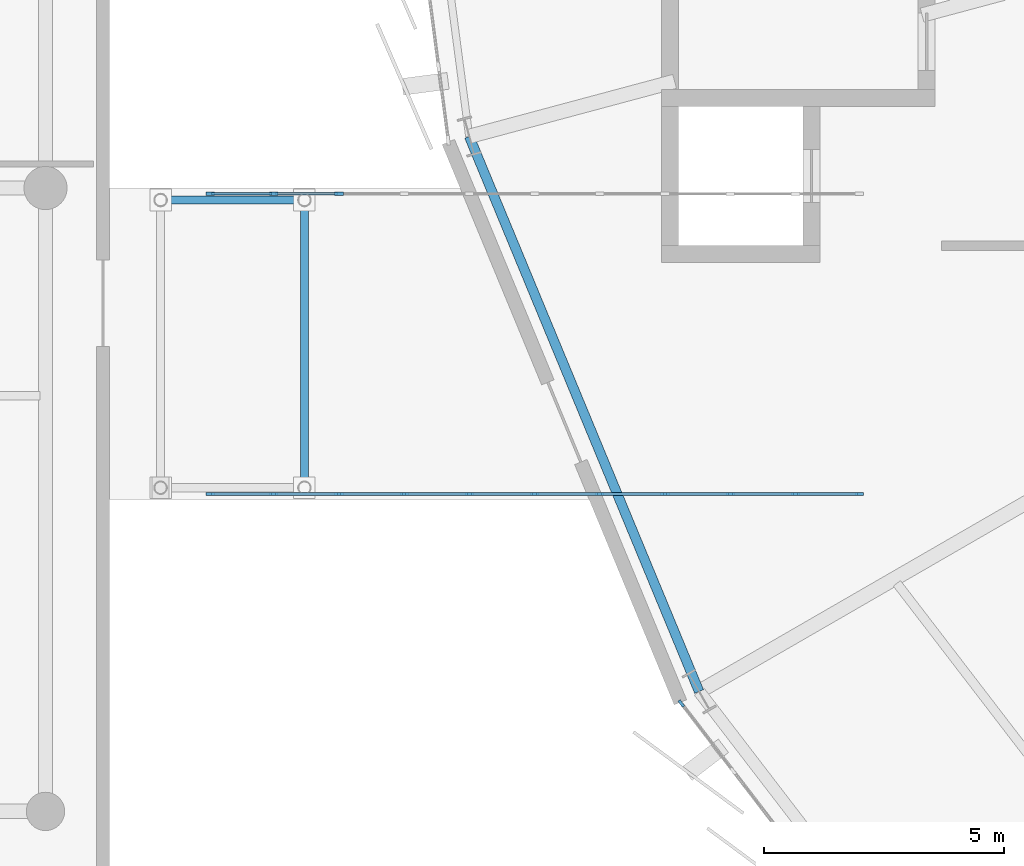
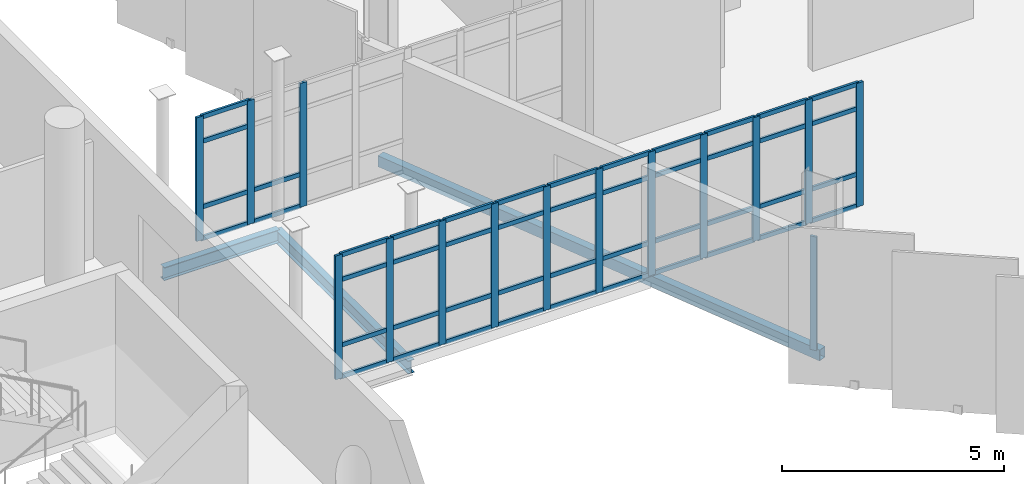
# One storey, part 31 of 125: 61 members, 3 beams, 3 elements without a shape of their own.
"""IFC4 building model written with IfcOpenShell, lengths in metres."""

from ifc_helpers import new_model, si_unit, direction, frame, origin, origin_2d, place, context, subcontext, project, spatial, rectangle, hollow_rectangle, i_section, extrude, material, layer, layer_set, material_profile, profile_set, type_object, element, aggregate, save


model = new_model("IFC4")

# Units and contexts
model_context = context("Model", 3, precision=1e-05, world=origin(), true_north=direction((0.0, 1.0)))
body_context = subcontext(model_context, "Body", "Model", "MODEL_VIEW")
ifc_project = project(units=[si_unit("LENGTHUNIT", "METRE"), si_unit("AREAUNIT", "SQUARE_METRE"), si_unit("VOLUMEUNIT", "CUBIC_METRE"), si_unit("PLANEANGLEUNIT", "RADIAN"), si_unit("MASSUNIT", "GRAM", prefix="KILO")], contexts=[model_context])

# Site, building, storey
site_placement = place(None, origin())
site = spatial("IfcSite", under=ifc_project, at=site_placement, CompositionType="ELEMENT")
building_placement = place(site_placement, origin())
building = spatial("IfcBuilding", under=site, at=building_placement, Name="Sohan Crest Arena", CompositionType="ELEMENT")
storey_placement = place(building_placement, frame((0.0, 0.0, 9.0)))
storey = spatial("IfcBuildingStorey", under=building, at=storey_placement, Name="L02", CompositionType="ELEMENT", Elevation=9.0)

# Curtain wall, member
ifc_material_1 = material(Name="Thermally broken anodised aluminium", Category="aluminium")
ifc_layer_1 = layer(ifc_material_1, 0.219970703125, Name="Thermally broken anodised aluminium")
ifc_layer_set_1 = layer_set([ifc_layer_1], Name="Thermally broken anodised aluminium")
curtain_wall_type_1 = type_object("IfcCurtainWallType", Name="ARC-CW03", PredefinedType="NOTDEFINED", material=ifc_layer_set_1)
curtain_wall_1_placement = place(storey_placement, origin())
curtain_wall_1 = element("IfcCurtainWall", 1, at=curtain_wall_1_placement, inside=storey, type_object=curtain_wall_type_1, Name="Unitised curtain wall CW-056", PredefinedType="NOTDEFINED")
ifc_material_profile_1 = material_profile(ifc_material_1, rectangle(XDim=0.06005859375, YDim=0.159912109375, at=origin_2d()), Name="ALU-MULL 60x160")
ifc_profile_set_1 = profile_set([ifc_material_profile_1], Name="Thermally broken anodised aluminium")
member_type_1 = type_object("IfcMemberType", Name="ARC-CW-ML01", PredefinedType="MULLION", material=ifc_profile_set_1)
member_1_placement = place(storey_placement, frame((56.059326171875, 53.751220703125, 0.0), z_axis=(0.0, 0.0, 1.0), x_axis=(0.79332886296, 0.60879332716, 0.0)))
member_1 = element("IfcMember", 2, at=member_1_placement, type_object=member_type_1, Name="CW-056 mullion 1", PredefinedType="MULLION", context=body_context, shape_type="SweptSolid", body=[
    extrude(rectangle(XDim=0.06005859375, YDim=0.159912109375, at=origin_2d()), origin(), (0.0, 0.0, 1.0), 3.1201171875),
])
aggregate(curtain_wall_1, [member_1])

# Curtain wall, members
ifc_layer_2 = layer(ifc_material_1, 0.18994140625, Name="Thermally broken anodised aluminium")
ifc_layer_set_2 = layer_set([ifc_layer_2], Name="Thermally broken anodised aluminium")
curtain_wall_type_2 = type_object("IfcCurtainWallType", Name="ARC-CW05", PredefinedType="NOTDEFINED", material=ifc_layer_set_2)
curtain_wall_2_placement = place(storey_placement, origin())
curtain_wall_2 = element("IfcCurtainWall", 3, at=curtain_wall_2_placement, inside=storey, type_object=curtain_wall_type_2, Name="Unitised curtain wall CW-227", PredefinedType="NOTDEFINED")
ifc_material_profile_2 = material_profile(ifc_material_1, rectangle(XDim=0.06494140625, YDim=0.179931640625, at=origin_2d()), Name="ALU-MULL 65x180")
ifc_profile_set_2 = profile_set([ifc_material_profile_2], Name="Thermally broken anodised aluminium")
member_type_2 = type_object("IfcMemberType", Name="ARC-CW-ML02", PredefinedType="MULLION", material=ifc_profile_set_2)
member_2_placement = place(storey_placement, frame((46.232421875, 58.1201171875, 0.0), z_axis=(0.0, 0.0, 1.0), x_axis=(0.0, 1.0, 0.0)))
member_2 = element("IfcMember", 4, at=member_2_placement, type_object=member_type_2, Name="CW-227 mullion 1", PredefinedType="MULLION", context=body_context, shape_type="SweptSolid", body=[
    extrude(rectangle(XDim=0.06494140625, YDim=0.179931640625, at=origin_2d()), origin(), (0.0, 0.0, 1.0), 3.39990234375),
])
member_3_placement = place(storey_placement, frame((47.56005859375, 58.1201171875, 0.0), z_axis=(0.0, 0.0, 1.0), x_axis=(0.0, 1.0, 0.0)))
member_3 = element("IfcMember", 5, at=member_3_placement, type_object=member_type_2, Name="CW-227 mullion 2", PredefinedType="MULLION", context=body_context, shape_type="SweptSolid", body=[
    extrude(rectangle(XDim=0.06494140625, YDim=0.179931640625, at=origin_2d()), origin(), (0.0, 0.0, 1.0), 3.39990234375),
])
member_4_placement = place(storey_placement, frame((48.919921875, 58.1201171875, 0.0), z_axis=(0.0, 0.0, 1.0), x_axis=(0.0, 1.0, 0.0)))
member_4 = element("IfcMember", 6, at=member_4_placement, type_object=member_type_2, Name="CW-227 mullion 3", PredefinedType="MULLION", context=body_context, shape_type="SweptSolid", body=[
    extrude(rectangle(XDim=0.06494140625, YDim=0.179931640625, at=origin_2d()), origin(), (0.0, 0.0, 1.0), 3.39990234375),
])
member_5_placement = place(storey_placement, frame((50.280029296875, 58.1201171875, 0.0), z_axis=(0.0, 0.0, 1.0), x_axis=(0.0, 1.0, 0.0)))
member_5 = element("IfcMember", 7, at=member_5_placement, type_object=member_type_2, Name="CW-227 mullion 4", PredefinedType="MULLION", context=body_context, shape_type="SweptSolid", body=[
    extrude(rectangle(XDim=0.06494140625, YDim=0.179931640625, at=origin_2d()), origin(), (0.0, 0.0, 1.0), 3.39990234375),
])
member_6_placement = place(storey_placement, frame((51.639892578125, 58.1201171875, 0.0), z_axis=(0.0, 0.0, 1.0), x_axis=(0.0, 1.0, 0.0)))
member_6 = element("IfcMember", 8, at=member_6_placement, type_object=member_type_2, Name="CW-227 mullion 5", PredefinedType="MULLION", context=body_context, shape_type="SweptSolid", body=[
    extrude(rectangle(XDim=0.06494140625, YDim=0.179931640625, at=origin_2d()), origin(), (0.0, 0.0, 1.0), 3.39990234375),
])
member_7_placement = place(storey_placement, frame((53.0, 58.1201171875, 0.0), z_axis=(0.0, 0.0, 1.0), x_axis=(0.0, 1.0, 0.0)))
member_7 = element("IfcMember", 9, at=member_7_placement, type_object=member_type_2, Name="CW-227 mullion 6", PredefinedType="MULLION", context=body_context, shape_type="SweptSolid", body=[
    extrude(rectangle(XDim=0.06494140625, YDim=0.179931640625, at=origin_2d()), origin(), (0.0, 0.0, 1.0), 3.39990234375),
])
member_8_placement = place(storey_placement, frame((54.360107421875, 58.1201171875, 0.0), z_axis=(0.0, 0.0, 1.0), x_axis=(0.0, 1.0, 0.0)))
member_8 = element("IfcMember", 10, at=member_8_placement, type_object=member_type_2, Name="CW-227 mullion 7", PredefinedType="MULLION", context=body_context, shape_type="SweptSolid", body=[
    extrude(rectangle(XDim=0.06494140625, YDim=0.179931640625, at=origin_2d()), origin(), (0.0, 0.0, 1.0), 3.39990234375),
])
member_9_placement = place(storey_placement, frame((55.719970703125, 58.1201171875, 0.0), z_axis=(0.0, 0.0, 1.0), x_axis=(0.0, 1.0, 0.0)))
member_9 = element("IfcMember", 11, at=member_9_placement, type_object=member_type_2, Name="CW-227 mullion 8", PredefinedType="MULLION", context=body_context, shape_type="SweptSolid", body=[
    extrude(rectangle(XDim=0.06494140625, YDim=0.179931640625, at=origin_2d()), origin(), (0.0, 0.0, 1.0), 3.39990234375),
])
member_10_placement = place(storey_placement, frame((57.080078125, 58.1201171875, 0.0), z_axis=(0.0, 0.0, 1.0), x_axis=(0.0, 1.0, 0.0)))
member_10 = element("IfcMember", 12, at=member_10_placement, type_object=member_type_2, Name="CW-227 mullion 9", PredefinedType="MULLION", context=body_context, shape_type="SweptSolid", body=[
    extrude(rectangle(XDim=0.06494140625, YDim=0.179931640625, at=origin_2d()), origin(), (0.0, 0.0, 1.0), 3.39990234375),
])
member_11_placement = place(storey_placement, frame((58.43994140625, 58.1201171875, 0.0), z_axis=(0.0, 0.0, 1.0), x_axis=(0.0, 1.0, 0.0)))
member_11 = element("IfcMember", 13, at=member_11_placement, type_object=member_type_2, Name="CW-227 mullion 10", PredefinedType="MULLION", context=body_context, shape_type="SweptSolid", body=[
    extrude(rectangle(XDim=0.06494140625, YDim=0.179931640625, at=origin_2d()), origin(), (0.0, 0.0, 1.0), 3.39990234375),
])
member_12_placement = place(storey_placement, frame((59.767578125, 58.1201171875, 0.0), z_axis=(0.0, 0.0, 1.0), x_axis=(0.0, 1.0, 0.0)))
member_12 = element("IfcMember", 14, at=member_12_placement, type_object=member_type_2, Name="CW-227 mullion 11", PredefinedType="MULLION", context=body_context, shape_type="SweptSolid", body=[
    extrude(rectangle(XDim=0.06494140625, YDim=0.179931640625, at=origin_2d()), origin(), (0.0, 0.0, 1.0), 3.39990234375),
])

curtain_wall_3_placement = place(storey_placement, origin())
curtain_wall_3 = element("IfcCurtainWall", 15, at=curtain_wall_3_placement, inside=storey, type_object=curtain_wall_type_2, Name="Unitised curtain wall CW-228", PredefinedType="NOTDEFINED")
member_13_placement = place(storey_placement, frame((46.232421875, 64.3798828125, 0.0), z_axis=(0.0, 0.0, 1.0), x_axis=(0.0, 1.0, 0.0)))
member_13 = element("IfcMember", 16, at=member_13_placement, type_object=member_type_2, Name="CW-228 mullion 1", PredefinedType="MULLION", context=body_context, shape_type="SweptSolid", body=[
    extrude(rectangle(XDim=0.06494140625, YDim=0.179931640625, at=origin_2d()), origin(), (0.0, 0.0, 1.0), 3.39990234375),
])
member_14_placement = place(storey_placement, frame((47.56005859375, 64.3798828125, 0.0), z_axis=(0.0, 0.0, 1.0), x_axis=(0.0, 1.0, 0.0)))
member_14 = element("IfcMember", 17, at=member_14_placement, type_object=member_type_2, Name="CW-228 mullion 2", PredefinedType="MULLION", context=body_context, shape_type="SweptSolid", body=[
    extrude(rectangle(XDim=0.06494140625, YDim=0.179931640625, at=origin_2d()), origin(), (0.0, 0.0, 1.0), 3.39990234375),
])
member_15_placement = place(storey_placement, frame((48.919921875, 64.3798828125, 0.0), z_axis=(0.0, 0.0, 1.0), x_axis=(0.0, 1.0, 0.0)))
member_15 = element("IfcMember", 18, at=member_15_placement, type_object=member_type_2, Name="CW-228 mullion 3", PredefinedType="MULLION", context=body_context, shape_type="SweptSolid", body=[
    extrude(rectangle(XDim=0.06494140625, YDim=0.179931640625, at=origin_2d()), origin(), (0.0, 0.0, 1.0), 3.39990234375),
])

# Member
ifc_material_profile_3 = material_profile(ifc_material_1, rectangle(XDim=0.06005859375, YDim=0.1201171875, at=origin_2d()), Name="ALU-TRAN 60x120")
ifc_profile_set_3 = profile_set([ifc_material_profile_3], Name="Thermally broken anodised aluminium")
member_type_3 = type_object("IfcMemberType", Name="ARC-CW-TR01", PredefinedType="USERDEFINED", material=ifc_profile_set_3)
member_16_placement = place(storey_placement, frame((46.264892578125, 58.1201171875, 0.030029296875), z_axis=(1.0, 0.0, 0.0), x_axis=(0.0, 1.0, 0.0)))
member_16 = element("IfcMember", 19, at=member_16_placement, type_object=member_type_3, Name="CW-227 transom 1.1", ObjectType="TRANSOM", PredefinedType="USERDEFINED", context=body_context, shape_type="SweptSolid", body=[
    extrude(rectangle(XDim=0.06005859375, YDim=0.1201171875, at=origin_2d()), origin(), (0.0, 0.0, 1.0), 1.2626953125),
])

member_17_placement = place(storey_placement, frame((46.264892578125, 58.1201171875, 0.89990234375), z_axis=(1.0, 0.0, 0.0), x_axis=(0.0, 1.0, 0.0)))
member_17 = element("IfcMember", 20, at=member_17_placement, type_object=member_type_3, Name="CW-227 transom 1.2", ObjectType="TRANSOM", PredefinedType="USERDEFINED", context=body_context, shape_type="SweptSolid", body=[
    extrude(rectangle(XDim=0.06005859375, YDim=0.1201171875, at=origin_2d()), origin(), (0.0, 0.0, 1.0), 1.2626953125),
])

member_18_placement = place(storey_placement, frame((46.264892578125, 58.1201171875, 2.699951171875), z_axis=(1.0, 0.0, 0.0), x_axis=(0.0, 1.0, 0.0)))
member_18 = element("IfcMember", 21, at=member_18_placement, type_object=member_type_3, Name="CW-227 transom 1.3", ObjectType="TRANSOM", PredefinedType="USERDEFINED", context=body_context, shape_type="SweptSolid", body=[
    extrude(rectangle(XDim=0.06005859375, YDim=0.1201171875, at=origin_2d()), origin(), (0.0, 0.0, 1.0), 1.2626953125),
])

member_19_placement = place(storey_placement, frame((46.264892578125, 58.1201171875, 3.3701171875), z_axis=(1.0, 0.0, 0.0), x_axis=(0.0, 1.0, 0.0)))
member_19 = element("IfcMember", 22, at=member_19_placement, type_object=member_type_3, Name="CW-227 transom 1.4", ObjectType="TRANSOM", PredefinedType="USERDEFINED", context=body_context, shape_type="SweptSolid", body=[
    extrude(rectangle(XDim=0.06005859375, YDim=0.1201171875, at=origin_2d()), origin(), (0.0, 0.0, 1.0), 1.2626953125),
])

member_20_placement = place(storey_placement, frame((47.592529296875, 58.1201171875, 0.030029296875), z_axis=(1.0, 0.0, 0.0), x_axis=(0.0, 1.0, 0.0)))
member_20 = element("IfcMember", 23, at=member_20_placement, type_object=member_type_3, Name="CW-227 transom 2.1", ObjectType="TRANSOM", PredefinedType="USERDEFINED", context=body_context, shape_type="SweptSolid", body=[
    extrude(rectangle(XDim=0.06005859375, YDim=0.1201171875, at=origin_2d()), origin(), (0.0, 0.0, 1.0), 1.294921875),
])

member_21_placement = place(storey_placement, frame((47.592529296875, 58.1201171875, 0.89990234375), z_axis=(1.0, 0.0, 0.0), x_axis=(0.0, 1.0, 0.0)))
member_21 = element("IfcMember", 24, at=member_21_placement, type_object=member_type_3, Name="CW-227 transom 2.2", ObjectType="TRANSOM", PredefinedType="USERDEFINED", context=body_context, shape_type="SweptSolid", body=[
    extrude(rectangle(XDim=0.06005859375, YDim=0.1201171875, at=origin_2d()), origin(), (0.0, 0.0, 1.0), 1.294921875),
])

member_22_placement = place(storey_placement, frame((47.592529296875, 58.1201171875, 2.699951171875), z_axis=(1.0, 0.0, 0.0), x_axis=(0.0, 1.0, 0.0)))
member_22 = element("IfcMember", 25, at=member_22_placement, type_object=member_type_3, Name="CW-227 transom 2.3", ObjectType="TRANSOM", PredefinedType="USERDEFINED", context=body_context, shape_type="SweptSolid", body=[
    extrude(rectangle(XDim=0.06005859375, YDim=0.1201171875, at=origin_2d()), origin(), (0.0, 0.0, 1.0), 1.294921875),
])

member_23_placement = place(storey_placement, frame((47.592529296875, 58.1201171875, 3.3701171875), z_axis=(1.0, 0.0, 0.0), x_axis=(0.0, 1.0, 0.0)))
member_23 = element("IfcMember", 26, at=member_23_placement, type_object=member_type_3, Name="CW-227 transom 2.4", ObjectType="TRANSOM", PredefinedType="USERDEFINED", context=body_context, shape_type="SweptSolid", body=[
    extrude(rectangle(XDim=0.06005859375, YDim=0.1201171875, at=origin_2d()), origin(), (0.0, 0.0, 1.0), 1.294921875),
])

member_24_placement = place(storey_placement, frame((48.952392578125, 58.1201171875, 0.030029296875), z_axis=(1.0, 0.0, 0.0), x_axis=(0.0, 1.0, 0.0)))
member_24 = element("IfcMember", 27, at=member_24_placement, type_object=member_type_3, Name="CW-227 transom 3.1", ObjectType="TRANSOM", PredefinedType="USERDEFINED", context=body_context, shape_type="SweptSolid", body=[
    extrude(rectangle(XDim=0.06005859375, YDim=0.1201171875, at=origin_2d()), origin(), (0.0, 0.0, 1.0), 1.295166015625),
])

member_25_placement = place(storey_placement, frame((48.952392578125, 58.1201171875, 0.89990234375), z_axis=(1.0, 0.0, 0.0), x_axis=(0.0, 1.0, 0.0)))
member_25 = element("IfcMember", 28, at=member_25_placement, type_object=member_type_3, Name="CW-227 transom 3.2", ObjectType="TRANSOM", PredefinedType="USERDEFINED", context=body_context, shape_type="SweptSolid", body=[
    extrude(rectangle(XDim=0.06005859375, YDim=0.1201171875, at=origin_2d()), origin(), (0.0, 0.0, 1.0), 1.295166015625),
])

member_26_placement = place(storey_placement, frame((48.952392578125, 58.1201171875, 2.699951171875), z_axis=(1.0, 0.0, 0.0), x_axis=(0.0, 1.0, 0.0)))
member_26 = element("IfcMember", 29, at=member_26_placement, type_object=member_type_3, Name="CW-227 transom 3.3", ObjectType="TRANSOM", PredefinedType="USERDEFINED", context=body_context, shape_type="SweptSolid", body=[
    extrude(rectangle(XDim=0.06005859375, YDim=0.1201171875, at=origin_2d()), origin(), (0.0, 0.0, 1.0), 1.295166015625),
])

member_27_placement = place(storey_placement, frame((48.952392578125, 58.1201171875, 3.3701171875), z_axis=(1.0, 0.0, 0.0), x_axis=(0.0, 1.0, 0.0)))
member_27 = element("IfcMember", 30, at=member_27_placement, type_object=member_type_3, Name="CW-227 transom 3.4", ObjectType="TRANSOM", PredefinedType="USERDEFINED", context=body_context, shape_type="SweptSolid", body=[
    extrude(rectangle(XDim=0.06005859375, YDim=0.1201171875, at=origin_2d()), origin(), (0.0, 0.0, 1.0), 1.295166015625),
])

member_28_placement = place(storey_placement, frame((50.3125, 58.1201171875, 0.030029296875), z_axis=(1.0, 0.0, 0.0), x_axis=(0.0, 1.0, 0.0)))
member_28 = element("IfcMember", 31, at=member_28_placement, type_object=member_type_3, Name="CW-227 transom 4.1", ObjectType="TRANSOM", PredefinedType="USERDEFINED", context=body_context, shape_type="SweptSolid", body=[
    extrude(rectangle(XDim=0.06005859375, YDim=0.1201171875, at=origin_2d()), origin(), (0.0, 0.0, 1.0), 1.294921875),
])

member_29_placement = place(storey_placement, frame((50.3125, 58.1201171875, 0.89990234375), z_axis=(1.0, 0.0, 0.0), x_axis=(0.0, 1.0, 0.0)))
member_29 = element("IfcMember", 32, at=member_29_placement, type_object=member_type_3, Name="CW-227 transom 4.2", ObjectType="TRANSOM", PredefinedType="USERDEFINED", context=body_context, shape_type="SweptSolid", body=[
    extrude(rectangle(XDim=0.06005859375, YDim=0.1201171875, at=origin_2d()), origin(), (0.0, 0.0, 1.0), 1.294921875),
])

member_30_placement = place(storey_placement, frame((50.3125, 58.1201171875, 2.699951171875), z_axis=(1.0, 0.0, 0.0), x_axis=(0.0, 1.0, 0.0)))
member_30 = element("IfcMember", 33, at=member_30_placement, type_object=member_type_3, Name="CW-227 transom 4.3", ObjectType="TRANSOM", PredefinedType="USERDEFINED", context=body_context, shape_type="SweptSolid", body=[
    extrude(rectangle(XDim=0.06005859375, YDim=0.1201171875, at=origin_2d()), origin(), (0.0, 0.0, 1.0), 1.294921875),
])

member_31_placement = place(storey_placement, frame((50.3125, 58.1201171875, 3.3701171875), z_axis=(1.0, 0.0, 0.0), x_axis=(0.0, 1.0, 0.0)))
member_31 = element("IfcMember", 34, at=member_31_placement, type_object=member_type_3, Name="CW-227 transom 4.4", ObjectType="TRANSOM", PredefinedType="USERDEFINED", context=body_context, shape_type="SweptSolid", body=[
    extrude(rectangle(XDim=0.06005859375, YDim=0.1201171875, at=origin_2d()), origin(), (0.0, 0.0, 1.0), 1.294921875),
])

member_32_placement = place(storey_placement, frame((51.672607421875, 58.1201171875, 0.030029296875), z_axis=(1.0, 0.0, 0.0), x_axis=(0.0, 1.0, 0.0)))
member_32 = element("IfcMember", 35, at=member_32_placement, type_object=member_type_3, Name="CW-227 transom 5.1", ObjectType="TRANSOM", PredefinedType="USERDEFINED", context=body_context, shape_type="SweptSolid", body=[
    extrude(rectangle(XDim=0.06005859375, YDim=0.1201171875, at=origin_2d()), origin(), (0.0, 0.0, 1.0), 1.294921875),
])

member_33_placement = place(storey_placement, frame((51.672607421875, 58.1201171875, 0.89990234375), z_axis=(1.0, 0.0, 0.0), x_axis=(0.0, 1.0, 0.0)))
member_33 = element("IfcMember", 36, at=member_33_placement, type_object=member_type_3, Name="CW-227 transom 5.2", ObjectType="TRANSOM", PredefinedType="USERDEFINED", context=body_context, shape_type="SweptSolid", body=[
    extrude(rectangle(XDim=0.06005859375, YDim=0.1201171875, at=origin_2d()), origin(), (0.0, 0.0, 1.0), 1.294921875),
])

member_34_placement = place(storey_placement, frame((51.672607421875, 58.1201171875, 2.699951171875), z_axis=(1.0, 0.0, 0.0), x_axis=(0.0, 1.0, 0.0)))
member_34 = element("IfcMember", 37, at=member_34_placement, type_object=member_type_3, Name="CW-227 transom 5.3", ObjectType="TRANSOM", PredefinedType="USERDEFINED", context=body_context, shape_type="SweptSolid", body=[
    extrude(rectangle(XDim=0.06005859375, YDim=0.1201171875, at=origin_2d()), origin(), (0.0, 0.0, 1.0), 1.294921875),
])

member_35_placement = place(storey_placement, frame((51.672607421875, 58.1201171875, 3.3701171875), z_axis=(1.0, 0.0, 0.0), x_axis=(0.0, 1.0, 0.0)))
member_35 = element("IfcMember", 38, at=member_35_placement, type_object=member_type_3, Name="CW-227 transom 5.4", ObjectType="TRANSOM", PredefinedType="USERDEFINED", context=body_context, shape_type="SweptSolid", body=[
    extrude(rectangle(XDim=0.06005859375, YDim=0.1201171875, at=origin_2d()), origin(), (0.0, 0.0, 1.0), 1.294921875),
])

member_36_placement = place(storey_placement, frame((53.032470703125, 58.1201171875, 0.030029296875), z_axis=(1.0, 0.0, 0.0), x_axis=(0.0, 1.0, 0.0)))
member_36 = element("IfcMember", 39, at=member_36_placement, type_object=member_type_3, Name="CW-227 transom 6.1", ObjectType="TRANSOM", PredefinedType="USERDEFINED", context=body_context, shape_type="SweptSolid", body=[
    extrude(rectangle(XDim=0.06005859375, YDim=0.1201171875, at=origin_2d()), origin(), (0.0, 0.0, 1.0), 1.294921875),
])

member_37_placement = place(storey_placement, frame((53.032470703125, 58.1201171875, 0.89990234375), z_axis=(1.0, 0.0, 0.0), x_axis=(0.0, 1.0, 0.0)))
member_37 = element("IfcMember", 40, at=member_37_placement, type_object=member_type_3, Name="CW-227 transom 6.2", ObjectType="TRANSOM", PredefinedType="USERDEFINED", context=body_context, shape_type="SweptSolid", body=[
    extrude(rectangle(XDim=0.06005859375, YDim=0.1201171875, at=origin_2d()), origin(), (0.0, 0.0, 1.0), 1.294921875),
])

member_38_placement = place(storey_placement, frame((53.032470703125, 58.1201171875, 2.699951171875), z_axis=(1.0, 0.0, 0.0), x_axis=(0.0, 1.0, 0.0)))
member_38 = element("IfcMember", 41, at=member_38_placement, type_object=member_type_3, Name="CW-227 transom 6.3", ObjectType="TRANSOM", PredefinedType="USERDEFINED", context=body_context, shape_type="SweptSolid", body=[
    extrude(rectangle(XDim=0.06005859375, YDim=0.1201171875, at=origin_2d()), origin(), (0.0, 0.0, 1.0), 1.294921875),
])

member_39_placement = place(storey_placement, frame((53.032470703125, 58.1201171875, 3.3701171875), z_axis=(1.0, 0.0, 0.0), x_axis=(0.0, 1.0, 0.0)))
member_39 = element("IfcMember", 42, at=member_39_placement, type_object=member_type_3, Name="CW-227 transom 6.4", ObjectType="TRANSOM", PredefinedType="USERDEFINED", context=body_context, shape_type="SweptSolid", body=[
    extrude(rectangle(XDim=0.06005859375, YDim=0.1201171875, at=origin_2d()), origin(), (0.0, 0.0, 1.0), 1.294921875),
])

member_40_placement = place(storey_placement, frame((54.392578125, 58.1201171875, 0.030029296875), z_axis=(1.0, 0.0, 0.0), x_axis=(0.0, 1.0, 0.0)))
member_40 = element("IfcMember", 43, at=member_40_placement, type_object=member_type_3, Name="CW-227 transom 7.1", ObjectType="TRANSOM", PredefinedType="USERDEFINED", context=body_context, shape_type="SweptSolid", body=[
    extrude(rectangle(XDim=0.06005859375, YDim=0.1201171875, at=origin_2d()), origin(), (0.0, 0.0, 1.0), 1.294921875),
])

member_41_placement = place(storey_placement, frame((54.392578125, 58.1201171875, 0.89990234375), z_axis=(1.0, 0.0, 0.0), x_axis=(0.0, 1.0, 0.0)))
member_41 = element("IfcMember", 44, at=member_41_placement, type_object=member_type_3, Name="CW-227 transom 7.2", ObjectType="TRANSOM", PredefinedType="USERDEFINED", context=body_context, shape_type="SweptSolid", body=[
    extrude(rectangle(XDim=0.06005859375, YDim=0.1201171875, at=origin_2d()), origin(), (0.0, 0.0, 1.0), 1.294921875),
])

member_42_placement = place(storey_placement, frame((54.392578125, 58.1201171875, 2.699951171875), z_axis=(1.0, 0.0, 0.0), x_axis=(0.0, 1.0, 0.0)))
member_42 = element("IfcMember", 45, at=member_42_placement, type_object=member_type_3, Name="CW-227 transom 7.3", ObjectType="TRANSOM", PredefinedType="USERDEFINED", context=body_context, shape_type="SweptSolid", body=[
    extrude(rectangle(XDim=0.06005859375, YDim=0.1201171875, at=origin_2d()), origin(), (0.0, 0.0, 1.0), 1.294921875),
])

member_43_placement = place(storey_placement, frame((54.392578125, 58.1201171875, 3.3701171875), z_axis=(1.0, 0.0, 0.0), x_axis=(0.0, 1.0, 0.0)))
member_43 = element("IfcMember", 46, at=member_43_placement, type_object=member_type_3, Name="CW-227 transom 7.4", ObjectType="TRANSOM", PredefinedType="USERDEFINED", context=body_context, shape_type="SweptSolid", body=[
    extrude(rectangle(XDim=0.06005859375, YDim=0.1201171875, at=origin_2d()), origin(), (0.0, 0.0, 1.0), 1.294921875),
])

member_44_placement = place(storey_placement, frame((55.75244140625, 58.1201171875, 0.030029296875), z_axis=(1.0, 0.0, 0.0), x_axis=(0.0, 1.0, 0.0)))
member_44 = element("IfcMember", 47, at=member_44_placement, type_object=member_type_3, Name="CW-227 transom 8.1", ObjectType="TRANSOM", PredefinedType="USERDEFINED", context=body_context, shape_type="SweptSolid", body=[
    extrude(rectangle(XDim=0.06005859375, YDim=0.1201171875, at=origin_2d()), origin(), (0.0, 0.0, 1.0), 1.295166015625),
])

member_45_placement = place(storey_placement, frame((55.75244140625, 58.1201171875, 0.89990234375), z_axis=(1.0, 0.0, 0.0), x_axis=(0.0, 1.0, 0.0)))
member_45 = element("IfcMember", 48, at=member_45_placement, type_object=member_type_3, Name="CW-227 transom 8.2", ObjectType="TRANSOM", PredefinedType="USERDEFINED", context=body_context, shape_type="SweptSolid", body=[
    extrude(rectangle(XDim=0.06005859375, YDim=0.1201171875, at=origin_2d()), origin(), (0.0, 0.0, 1.0), 1.295166015625),
])

member_46_placement = place(storey_placement, frame((55.75244140625, 58.1201171875, 2.699951171875), z_axis=(1.0, 0.0, 0.0), x_axis=(0.0, 1.0, 0.0)))
member_46 = element("IfcMember", 49, at=member_46_placement, type_object=member_type_3, Name="CW-227 transom 8.3", ObjectType="TRANSOM", PredefinedType="USERDEFINED", context=body_context, shape_type="SweptSolid", body=[
    extrude(rectangle(XDim=0.06005859375, YDim=0.1201171875, at=origin_2d()), origin(), (0.0, 0.0, 1.0), 1.295166015625),
])

member_47_placement = place(storey_placement, frame((55.75244140625, 58.1201171875, 3.3701171875), z_axis=(1.0, 0.0, 0.0), x_axis=(0.0, 1.0, 0.0)))
member_47 = element("IfcMember", 50, at=member_47_placement, type_object=member_type_3, Name="CW-227 transom 8.4", ObjectType="TRANSOM", PredefinedType="USERDEFINED", context=body_context, shape_type="SweptSolid", body=[
    extrude(rectangle(XDim=0.06005859375, YDim=0.1201171875, at=origin_2d()), origin(), (0.0, 0.0, 1.0), 1.295166015625),
])

member_48_placement = place(storey_placement, frame((57.112548828125, 58.1201171875, 0.030029296875), z_axis=(1.0, 0.0, 0.0), x_axis=(0.0, 1.0, 0.0)))
member_48 = element("IfcMember", 51, at=member_48_placement, type_object=member_type_3, Name="CW-227 transom 9.1", ObjectType="TRANSOM", PredefinedType="USERDEFINED", context=body_context, shape_type="SweptSolid", body=[
    extrude(rectangle(XDim=0.06005859375, YDim=0.1201171875, at=origin_2d()), origin(), (0.0, 0.0, 1.0), 1.294921875),
])

member_49_placement = place(storey_placement, frame((57.112548828125, 58.1201171875, 0.89990234375), z_axis=(1.0, 0.0, 0.0), x_axis=(0.0, 1.0, 0.0)))
member_49 = element("IfcMember", 52, at=member_49_placement, type_object=member_type_3, Name="CW-227 transom 9.2", ObjectType="TRANSOM", PredefinedType="USERDEFINED", context=body_context, shape_type="SweptSolid", body=[
    extrude(rectangle(XDim=0.06005859375, YDim=0.1201171875, at=origin_2d()), origin(), (0.0, 0.0, 1.0), 1.294921875),
])

member_50_placement = place(storey_placement, frame((57.112548828125, 58.1201171875, 2.699951171875), z_axis=(1.0, 0.0, 0.0), x_axis=(0.0, 1.0, 0.0)))
member_50 = element("IfcMember", 53, at=member_50_placement, type_object=member_type_3, Name="CW-227 transom 9.3", ObjectType="TRANSOM", PredefinedType="USERDEFINED", context=body_context, shape_type="SweptSolid", body=[
    extrude(rectangle(XDim=0.06005859375, YDim=0.1201171875, at=origin_2d()), origin(), (0.0, 0.0, 1.0), 1.294921875),
])

member_51_placement = place(storey_placement, frame((57.112548828125, 58.1201171875, 3.3701171875), z_axis=(1.0, 0.0, 0.0), x_axis=(0.0, 1.0, 0.0)))
member_51 = element("IfcMember", 54, at=member_51_placement, type_object=member_type_3, Name="CW-227 transom 9.4", ObjectType="TRANSOM", PredefinedType="USERDEFINED", context=body_context, shape_type="SweptSolid", body=[
    extrude(rectangle(XDim=0.06005859375, YDim=0.1201171875, at=origin_2d()), origin(), (0.0, 0.0, 1.0), 1.294921875),
])

member_52_placement = place(storey_placement, frame((58.472412109375, 58.1201171875, 0.030029296875), z_axis=(1.0, 0.0, 0.0), x_axis=(0.0, 1.0, 0.0)))
member_52 = element("IfcMember", 55, at=member_52_placement, type_object=member_type_3, Name="CW-227 transom 10.1", ObjectType="TRANSOM", PredefinedType="USERDEFINED", context=body_context, shape_type="SweptSolid", body=[
    extrude(rectangle(XDim=0.06005859375, YDim=0.1201171875, at=origin_2d()), origin(), (0.0, 0.0, 1.0), 1.2626953125),
])

member_53_placement = place(storey_placement, frame((58.472412109375, 58.1201171875, 0.89990234375), z_axis=(1.0, 0.0, 0.0), x_axis=(0.0, 1.0, 0.0)))
member_53 = element("IfcMember", 56, at=member_53_placement, type_object=member_type_3, Name="CW-227 transom 10.2", ObjectType="TRANSOM", PredefinedType="USERDEFINED", context=body_context, shape_type="SweptSolid", body=[
    extrude(rectangle(XDim=0.06005859375, YDim=0.1201171875, at=origin_2d()), origin(), (0.0, 0.0, 1.0), 1.2626953125),
])

member_54_placement = place(storey_placement, frame((58.472412109375, 58.1201171875, 2.699951171875), z_axis=(1.0, 0.0, 0.0), x_axis=(0.0, 1.0, 0.0)))
member_54 = element("IfcMember", 57, at=member_54_placement, type_object=member_type_3, Name="CW-227 transom 10.3", ObjectType="TRANSOM", PredefinedType="USERDEFINED", context=body_context, shape_type="SweptSolid", body=[
    extrude(rectangle(XDim=0.06005859375, YDim=0.1201171875, at=origin_2d()), origin(), (0.0, 0.0, 1.0), 1.2626953125),
])

member_55_placement = place(storey_placement, frame((58.472412109375, 58.1201171875, 3.3701171875), z_axis=(1.0, 0.0, 0.0), x_axis=(0.0, 1.0, 0.0)))
member_55 = element("IfcMember", 58, at=member_55_placement, type_object=member_type_3, Name="CW-227 transom 10.4", ObjectType="TRANSOM", PredefinedType="USERDEFINED", context=body_context, shape_type="SweptSolid", body=[
    extrude(rectangle(XDim=0.06005859375, YDim=0.1201171875, at=origin_2d()), origin(), (0.0, 0.0, 1.0), 1.2626953125),
])

aggregate(curtain_wall_2, [member_2, member_3, member_4, member_5, member_6, member_7, member_8, member_9, member_10, member_11, member_12, member_16, member_17, member_18, member_19, member_20, member_21, member_22, member_23, member_24, member_25, member_26, member_27, member_28, member_29, member_30, member_31, member_32, member_33, member_34, member_35, member_36, member_37, member_38, member_39, member_40, member_41, member_42, member_43, member_44, member_45, member_46, member_47, member_48, member_49, member_50, member_51, member_52, member_53, member_54, member_55])

member_56_placement = place(storey_placement, frame((46.264892578125, 64.3798828125, 0.030029296875), z_axis=(1.0, 0.0, 0.0), x_axis=(0.0, 1.0, 0.0)))
member_56 = element("IfcMember", 59, at=member_56_placement, type_object=member_type_3, Name="CW-228 transom 1.1", ObjectType="TRANSOM", PredefinedType="USERDEFINED", context=body_context, shape_type="SweptSolid", body=[
    extrude(rectangle(XDim=0.06005859375, YDim=0.1201171875, at=origin_2d()), origin(), (0.0, 0.0, 1.0), 1.2626953125),
])

member_57_placement = place(storey_placement, frame((46.264892578125, 64.3798828125, 0.89990234375), z_axis=(1.0, 0.0, 0.0), x_axis=(0.0, 1.0, 0.0)))
member_57 = element("IfcMember", 60, at=member_57_placement, type_object=member_type_3, Name="CW-228 transom 1.2", ObjectType="TRANSOM", PredefinedType="USERDEFINED", context=body_context, shape_type="SweptSolid", body=[
    extrude(rectangle(XDim=0.06005859375, YDim=0.1201171875, at=origin_2d()), origin(), (0.0, 0.0, 1.0), 1.2626953125),
])

member_58_placement = place(storey_placement, frame((46.264892578125, 64.3798828125, 2.699951171875), z_axis=(1.0, 0.0, 0.0), x_axis=(0.0, 1.0, 0.0)))
member_58 = element("IfcMember", 61, at=member_58_placement, type_object=member_type_3, Name="CW-228 transom 1.3", ObjectType="TRANSOM", PredefinedType="USERDEFINED", context=body_context, shape_type="SweptSolid", body=[
    extrude(rectangle(XDim=0.06005859375, YDim=0.1201171875, at=origin_2d()), origin(), (0.0, 0.0, 1.0), 1.2626953125),
])

member_59_placement = place(storey_placement, frame((46.264892578125, 64.3798828125, 3.3701171875), z_axis=(1.0, 0.0, 0.0), x_axis=(0.0, 1.0, 0.0)))
member_59 = element("IfcMember", 62, at=member_59_placement, type_object=member_type_3, Name="CW-228 transom 1.4", ObjectType="TRANSOM", PredefinedType="USERDEFINED", context=body_context, shape_type="SweptSolid", body=[
    extrude(rectangle(XDim=0.06005859375, YDim=0.1201171875, at=origin_2d()), origin(), (0.0, 0.0, 1.0), 1.2626953125),
])

member_60_placement = place(storey_placement, frame((47.592529296875, 64.3798828125, 0.030029296875), z_axis=(1.0, 0.0, 0.0), x_axis=(0.0, 1.0, 0.0)))
member_60 = element("IfcMember", 63, at=member_60_placement, type_object=member_type_3, Name="CW-228 transom 2.1", ObjectType="TRANSOM", PredefinedType="USERDEFINED", context=body_context, shape_type="SweptSolid", body=[
    extrude(rectangle(XDim=0.06005859375, YDim=0.1201171875, at=origin_2d()), origin(), (0.0, 0.0, 1.0), 1.294921875),
])

member_61_placement = place(storey_placement, frame((47.592529296875, 64.3798828125, 0.89990234375), z_axis=(1.0, 0.0, 0.0), x_axis=(0.0, 1.0, 0.0)))
member_61 = element("IfcMember", 64, at=member_61_placement, type_object=member_type_3, Name="CW-228 transom 2.2", ObjectType="TRANSOM", PredefinedType="USERDEFINED", context=body_context, shape_type="SweptSolid", body=[
    extrude(rectangle(XDim=0.06005859375, YDim=0.1201171875, at=origin_2d()), origin(), (0.0, 0.0, 1.0), 1.294921875),
])

aggregate(curtain_wall_3, [member_13, member_14, member_15, member_56, member_57, member_58, member_59, member_60, member_61])

# Beams
ifc_material_2 = material(Name="Steel S355", Category="steel")
ifc_material_profile_4 = material_profile(ifc_material_2, i_section(OverallWidth=0.169921875, OverallDepth=0.360107421875, WebThickness=0.008056640625, FlangeThickness=0.0126953125, at=origin_2d()), Name="IPE 360")
ifc_profile_set_4 = profile_set([ifc_material_profile_4], Name="Steel S355")
beam_type_1 = type_object("IfcBeamType", Name="STR-BM-B02", PredefinedType="JOIST", material=ifc_profile_set_4)
beam_1_placement = place(storey_placement, frame((45.199951171875, 64.25, -0.455078125), z_axis=(1.0, 0.0, 0.0), x_axis=(0.0, 1.0, 0.0)))
element("IfcBeam", 65, at=beam_1_placement, inside=storey, type_object=beam_type_1, Name="Structural beam BG-L02-2929", PredefinedType="JOIST", context=body_context, shape_type="SweptSolid", body=[
    extrude(i_section(OverallWidth=0.169921875, OverallDepth=0.360107421875, WebThickness=0.008056640625, FlangeThickness=0.0126953125, at=origin_2d()), origin(), (0.0, 0.0, 1.0), 3.0),
])
beam_2_placement = place(storey_placement, frame((48.199951171875, 58.25, -0.455078125), z_axis=(0.0, 1.0, 0.0), x_axis=(-1.0, 0.0, 0.0)))
element("IfcBeam", 66, at=beam_2_placement, inside=storey, type_object=beam_type_1, Name="Structural beam BG-L02-2931", PredefinedType="JOIST", context=body_context, shape_type="SweptSolid", body=[
    extrude(i_section(OverallWidth=0.169921875, OverallDepth=0.360107421875, WebThickness=0.008056640625, FlangeThickness=0.0126953125, at=origin_2d()), origin(), (0.0, 0.0, 1.0), 6.0),
])
ifc_material_profile_5 = material_profile(ifc_material_2, hollow_rectangle(XDim=0.199951171875, YDim=0.300048828125, WallThickness=0.010009765625, at=origin_2d()), Name="RHS 300x200x10")
ifc_profile_set_5 = profile_set([ifc_material_profile_5], Name="Steel S355")
beam_type_2 = type_object("IfcBeamType", Name="STR-BM-SP03", PredefinedType="SPANDREL", material=ifc_profile_set_5)
beam_3_placement = place(storey_placement, frame((51.635986328125, 65.576904296875, -0.39990234375), z_axis=(0.382656941645, -0.923890504882, 0.0), x_axis=(0.923890504882, 0.382656941645, 0.0)))
element("IfcBeam", 67, at=beam_3_placement, inside=storey, type_object=beam_type_2, Name="Structural beam SP-L02-1275", PredefinedType="SPANDREL", context=body_context, shape_type="SweptSolid", body=[
    extrude(hollow_rectangle(XDim=0.199951171875, YDim=0.300048828125, WallThickness=0.010009765625, at=origin_2d()), origin(), (0.0, 0.0, 1.0), 12.530517578125),
])

save(model, "model.ifc")
